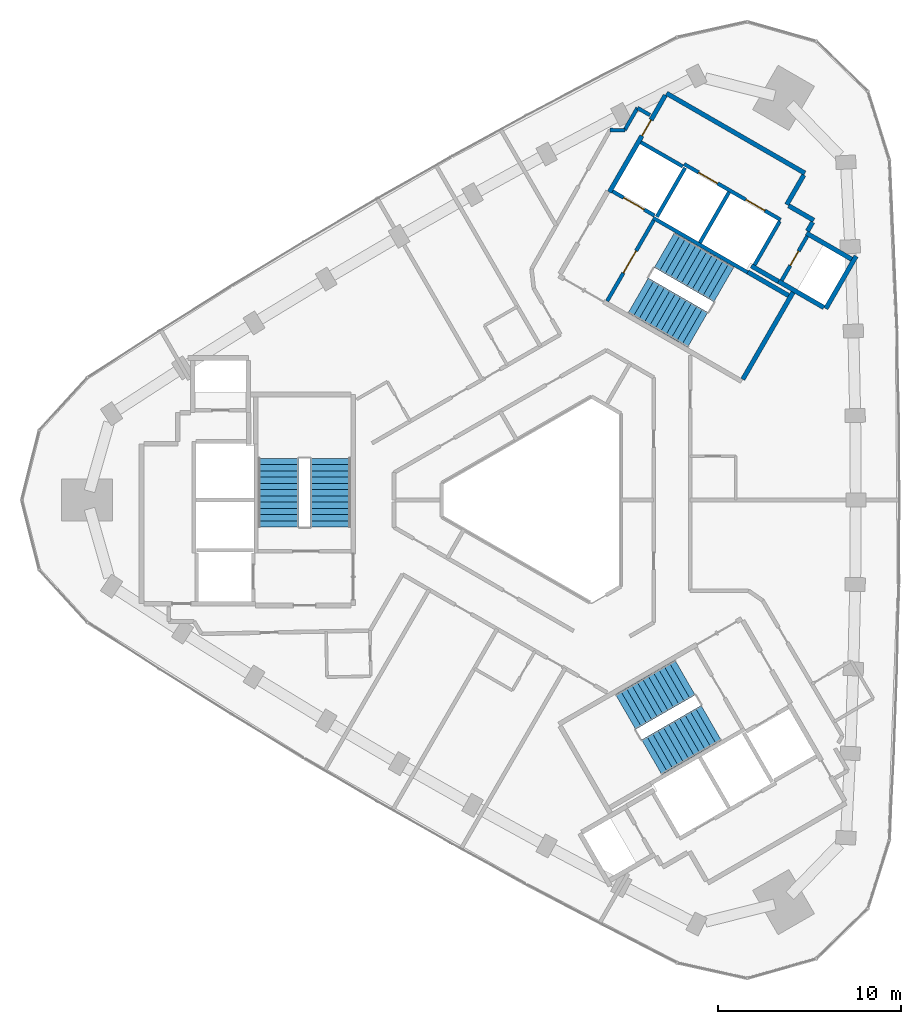
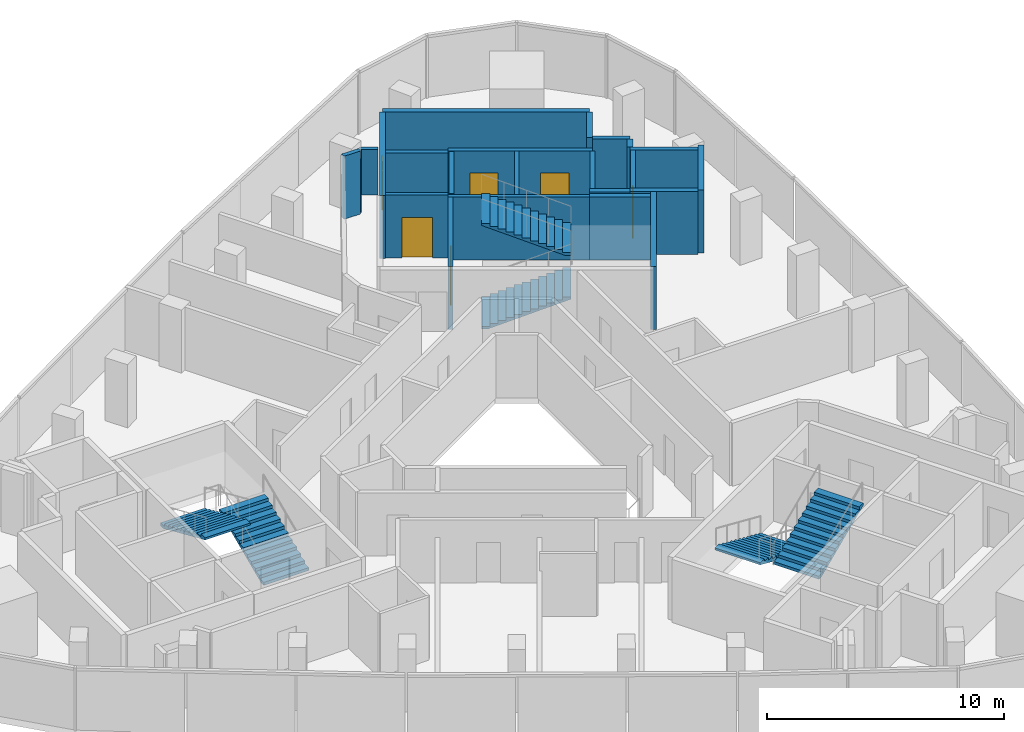
# One storey, part 10 of 11: 23 walls, 6 doors, 6 stair flights, 6 openings, 3 elements without a shape of their own.
"""IFC4 building model written with IfcOpenShell, lengths in metres."""

from ifc_helpers import new_model, si_unit, direction, frame, frame_2d, origin, place, context, subcontext, project, spatial, polyline, rectangle, outline, extrude, material, layer, layer_set, type_object, element, fill, aggregate, save


model = new_model("IFC4")

# Units and contexts
model_context = context("Model", 3, precision=1e-05, world=origin(), true_north=direction((0.0, 1.0)))
body_context = subcontext(model_context, "Body", "Model", "MODEL_VIEW")
ifc_project = project(units=[si_unit("LENGTHUNIT", "METRE"), si_unit("AREAUNIT", "SQUARE_METRE"), si_unit("VOLUMEUNIT", "CUBIC_METRE"), si_unit("PLANEANGLEUNIT", "RADIAN"), si_unit("MASSUNIT", "GRAM", prefix="KILO")], contexts=[model_context])

# Site, building, storey
site_placement = place(None, origin())
site = spatial("IfcSite", under=ifc_project, at=site_placement, CompositionType="ELEMENT")
building_placement = place(site_placement, origin())
building = spatial("IfcBuilding", under=site, at=building_placement, Name="Tamra Quay Hotel Tower", CompositionType="ELEMENT")
storey_placement = place(building_placement, frame((0.0, 0.0, 235.800048828125)))
storey = spatial("IfcBuildingStorey", under=building, at=storey_placement, Name="L59", CompositionType="ELEMENT", Elevation=235.800048828125)

# Wall, openings, doors
ifc_material_1 = material(Name="Concrete M70", Category="concrete")
ifc_layer_1 = layer(ifc_material_1, 0.199951171875)
ifc_layer_set_1 = layer_set([ifc_layer_1], Name="Concrete M70 core wall 200")
wall_type_1 = type_object("IfcWallType", Name="Concrete M70 core wall 200", PredefinedType="SHEAR", material=ifc_layer_set_1)
wall_1_placement = place(storey_placement, frame((12.552490234375, 15.341552734375, 0.0), z_axis=(0.0, 0.0, 1.0), x_axis=(-0.866030299012, 0.499991521122, 0.0)))
wall_1 = element("IfcWall", 1, at=wall_1_placement, inside=storey, type_object=wall_type_1, Name="CW2", PredefinedType="SHEAR", context=body_context, shape_type="SweptSolid", body=[
    extrude(rectangle(XDim=6.10009765625, YDim=0.199951171875, at=frame_2d((3.050048828125, 0.0))), origin(), (0.0, 0.0, 1.0), 3.25),
])
opening_1_placement = place(wall_1_placement, frame((1.0, 0.0, 0.0)))
opening_1 = element("IfcOpeningElement", 2, at=opening_1_placement, cuts=wall_1, Name="Opening LD", PredefinedType="OPENING", context=body_context, shape_type="SweptSolid", body=[
    extrude(rectangle(XDim=1.199951171875, YDim=2.10009765625, at=frame_2d((0.60009765625, 1.050048828125))), frame((0.0, 0.10986328125, 0.0), z_axis=(0.0, -1.0, 0.0), x_axis=(1.0, 0.0, 0.0)), (0.0, 0.0, 1.0), 0.219970703125),
])
opening_2_placement = place(wall_1_placement, frame((3.982177734375, 0.0, 0.0)))
opening_2 = element("IfcOpeningElement", 3, at=opening_2_placement, cuts=wall_1, Name="Opening LD", PredefinedType="OPENING", context=body_context, shape_type="SweptSolid", body=[
    extrude(rectangle(XDim=1.199951171875, YDim=2.10009765625, at=frame_2d((0.60009765625, 1.050048828125))), frame((0.0, 0.10986328125, 0.0), z_axis=(0.0, -1.0, 0.0), x_axis=(1.0, 0.0, 0.0)), (0.0, 0.0, 1.0), 0.219970703125),
])
ifc_material_2 = material(Name="Landing door LD 1200 double door sliding")
door_type_1 = type_object("IfcDoorType", Name="Landing door LD 1200 double door sliding", OperationType="DOUBLE_DOOR_SLIDING", PredefinedType="DOOR", material=ifc_material_2)
door_1_placement = place(opening_1_placement, origin())
door_1 = element("IfcDoor", 4, at=door_1_placement, inside=storey, type_object=door_type_1, Name="LD", OperationType="DOUBLE_DOOR_SLIDING", OverallHeight=2.10009765625, OverallWidth=1.199951171875, PredefinedType="DOOR", context=body_context, shape_type="SweptSolid", body=[
    extrude(rectangle(XDim=1.199951171875, YDim=2.10009765625, at=frame_2d((0.60009765625, 1.050048828125))), frame((0.0, 0.02490234375, 0.0), z_axis=(0.0, -1.0, 0.0), x_axis=(1.0, 0.0, 0.0)), (0.0, 0.0, 1.0), 0.050048828125),
])
fill(opening_1, door_1)
door_2_placement = place(opening_2_placement, origin())
door_2 = element("IfcDoor", 5, at=door_2_placement, inside=storey, type_object=door_type_1, Name="LD", OperationType="DOUBLE_DOOR_SLIDING", OverallHeight=2.10009765625, OverallWidth=1.199951171875, PredefinedType="DOOR", context=body_context, shape_type="SweptSolid", body=[
    extrude(rectangle(XDim=1.199951171875, YDim=2.10009765625, at=frame_2d((0.60009765625, 1.050048828125))), frame((0.0, 0.02490234375, 0.0), z_axis=(0.0, -1.0, 0.0), x_axis=(1.0, 0.0, 0.0)), (0.0, 0.0, 1.0), 0.050048828125),
])
fill(opening_2, door_2)

# Wall
wall_2_placement = place(storey_placement, frame((10.7431640625, 12.4599609375, 0.0), z_axis=(0.0, 0.0, 1.0), x_axis=(-0.866018848283, 0.500011354289, 0.0)))
element("IfcWall", 6, at=wall_2_placement, inside=storey, type_object=wall_type_1, Name="CW2", PredefinedType="SHEAR", context=body_context, shape_type="SweptSolid", body=[
    extrude(rectangle(XDim=5.973876953125, YDim=0.199951171875, at=frame_2d((2.98681640625, 0.0))), origin(), (0.0, 0.0, 1.0), 3.25),
])

# Wall, opening, door
wall_3_placement = place(storey_placement, frame((3.056640625, 10.89453125, 0.0), z_axis=(0.0, 0.0, 1.0), x_axis=(0.500027839223, 0.866009330205, 0.0)))
wall_3 = element("IfcWall", 7, at=wall_3_placement, inside=storey, type_object=wall_type_1, Name="CW2", PredefinedType="SHEAR", context=body_context, shape_type="SweptSolid", body=[
    extrude(rectangle(XDim=5.097900390625, YDim=0.199951171875, at=frame_2d((2.548828125, 0.0))), origin(), (0.0, 0.0, 1.0), 3.25),
])
opening_3_placement = place(wall_3_placement, frame((1.77392578125, 0.0, 0.0)))
opening_3 = element("IfcOpeningElement", 8, at=opening_3_placement, cuts=wall_3, Name="Opening FD2", PredefinedType="OPENING", context=body_context, shape_type="SweptSolid", body=[
    extrude(rectangle(XDim=1.39990234375, YDim=2.10009765625, at=frame_2d((0.699951171875, 1.050048828125))), frame((0.0, 0.10986328125, 0.0), z_axis=(0.0, -1.0, 0.0), x_axis=(1.0, 0.0, 0.0)), (0.0, 0.0, 1.0), 0.219970703125),
])
ifc_material_3 = material(Name="Core door FD2 1400x2100 LH")
door_type_2 = type_object("IfcDoorType", Name="Core door FD2 1400x2100 LH", OperationType="NOTDEFINED", PredefinedType="DOOR", material=ifc_material_3)
door_3_placement = place(opening_3_placement, origin())
door_3 = element("IfcDoor", 9, at=door_3_placement, inside=storey, type_object=door_type_2, Name="FD2", OperationType="SINGLE_SWING_LEFT", OverallHeight=2.10009765625, OverallWidth=1.39990234375, PredefinedType="DOOR", context=body_context, shape_type="SweptSolid", body=[
    extrude(rectangle(XDim=1.39990234375, YDim=2.10009765625, at=frame_2d((0.699951171875, 1.050048828125))), frame((0.0, 0.02490234375, 0.0), z_axis=(0.0, -1.0, 0.0), x_axis=(1.0, 0.0, 0.0)), (0.0, 0.0, 1.0), 0.050048828125),
])
fill(opening_3, door_3)

# Wall
wall_4_placement = place(storey_placement, frame((8.131591796875, 14.08447265625, 0.0), z_axis=(0.0, 0.0, 1.0), x_axis=(0.500030834389, 0.86600760081, 0.0)))
element("IfcWall", 10, at=wall_4_placement, inside=storey, type_object=wall_type_1, Name="CW2", PredefinedType="SHEAR", context=body_context, shape_type="SweptSolid", body=[
    extrude(rectangle(XDim=3.197998046875, YDim=0.199951171875, at=frame_2d((1.59912109375, 0.0))), origin(), (0.0, 0.0, 1.0), 3.25),
])

# Wall, opening, door
wall_5_placement = place(storey_placement, frame((14.0078125, 14.442138671875, 0.0), z_axis=(0.0, 0.0, 1.0), x_axis=(-0.499986818241, -0.866033014143, 0.0)))
wall_5 = element("IfcWall", 11, at=wall_5_placement, inside=storey, type_object=wall_type_1, Name="CW2", PredefinedType="SHEAR", context=body_context, shape_type="SweptSolid", body=[
    extrude(rectangle(XDim=2.7978515625, YDim=0.199951171875, at=frame_2d((1.39892578125, 0.0))), origin(), (0.0, 0.0, 1.0), 3.25),
])
opening_4_placement = place(wall_5_placement, frame((0.948974609375, 0.0, 0.0)))
opening_4 = element("IfcOpeningElement", 12, at=opening_4_placement, cuts=wall_5, Name="Opening D1", PredefinedType="OPENING", context=body_context, shape_type="SweptSolid", body=[
    extrude(rectangle(XDim=0.89990234375, YDim=2.10009765625, at=frame_2d((0.449951171875, 1.050048828125))), frame((0.0, 0.10986328125, 0.0), z_axis=(0.0, -1.0, 0.0), x_axis=(1.0, 0.0, 0.0)), (0.0, 0.0, 1.0), 0.219970703125),
])
ifc_material_4 = material(Name="Core door D1 900x2100 RH")
door_type_3 = type_object("IfcDoorType", Name="Core door D1 900x2100 RH", OperationType="NOTDEFINED", PredefinedType="DOOR", material=ifc_material_4)
door_4_placement = place(opening_4_placement, origin())
door_4 = element("IfcDoor", 13, at=door_4_placement, inside=storey, type_object=door_type_3, Name="D1", OperationType="SINGLE_SWING_RIGHT", OverallHeight=2.10009765625, OverallWidth=0.89990234375, PredefinedType="DOOR", context=body_context, shape_type="SweptSolid", body=[
    extrude(rectangle(XDim=0.89990234375, YDim=2.10009765625, at=frame_2d((0.449951171875, 1.050048828125))), frame((0.0, 0.02490234375, 0.0), z_axis=(0.0, -1.0, 0.0), x_axis=(1.0, 0.0, 0.0)), (0.0, 0.0, 1.0), 0.050048828125),
])
fill(opening_4, door_4)

# Walls
wall_6_placement = place(storey_placement, frame((12.50244140625, 15.2548828125, 0.0), z_axis=(0.0, 0.0, 1.0), x_axis=(-0.499965018551, -0.866045599391, 0.0)))
element("IfcWall", 14, at=wall_6_placement, inside=storey, type_object=wall_type_1, Name="CW2", PredefinedType="SHEAR", context=body_context, shape_type="SweptSolid", body=[
    extrude(rectangle(XDim=2.759033203125, YDim=0.199951171875, at=frame_2d((1.37939453125, 0.0))), origin(), (0.0, 0.0, 1.0), 3.25),
])
wall_7_placement = place(storey_placement, frame((7.324462890625, 18.1865234375, 0.0), z_axis=(0.0, 0.0, 1.0), x_axis=(-0.499967891604, -0.866043940782, 0.0)))
element("IfcWall", 15, at=wall_7_placement, inside=storey, type_object=wall_type_1, Name="CW2", PredefinedType="SHEAR", context=body_context, shape_type="SweptSolid", body=[
    extrude(rectangle(XDim=3.099853515625, YDim=0.199951171875, at=frame_2d((1.5498046875, 0.0))), origin(), (0.0, 0.0, 1.0), 3.25),
])

# Wall, opening, door
wall_8_placement = place(storey_placement, frame((5.646240234375, 15.575927734375, 0.0), z_axis=(0.0, 0.0, 1.0), x_axis=(-0.866018407898, 0.500012117035, 0.0)))
wall_8 = element("IfcWall", 16, at=wall_8_placement, inside=storey, type_object=wall_type_1, Name="CW2", PredefinedType="SHEAR", context=body_context, shape_type="SweptSolid", body=[
    extrude(rectangle(XDim=2.65087890625, YDim=0.199951171875, at=frame_2d((1.325439453125, 0.0))), origin(), (0.0, 0.0, 1.0), 3.25),
])
opening_5_placement = place(wall_8_placement, frame((0.65185546875, 0.0, 0.0)))
opening_5 = element("IfcOpeningElement", 17, at=opening_5_placement, cuts=wall_8, Name="Opening LD", PredefinedType="OPENING", context=body_context, shape_type="SweptSolid", body=[
    extrude(rectangle(XDim=1.300048828125, YDim=2.10009765625, at=frame_2d((0.64990234375, 1.050048828125))), frame((0.0, 0.10986328125, 0.0), z_axis=(0.0, -1.0, 0.0), x_axis=(1.0, 0.0, 0.0)), (0.0, 0.0, 1.0), 0.219970703125),
])
ifc_material_5 = material(Name="Landing door LD 1300 sliding to left")
door_type_4 = type_object("IfcDoorType", Name="Landing door LD 1300 sliding to left", OperationType="NOTDEFINED", PredefinedType="DOOR", material=ifc_material_5)
door_5_placement = place(opening_5_placement, origin())
door_5 = element("IfcDoor", 18, at=door_5_placement, inside=storey, type_object=door_type_4, Name="LD", OperationType="SLIDING_TO_LEFT", OverallHeight=2.10009765625, OverallWidth=1.300048828125, PredefinedType="DOOR", context=body_context, shape_type="SweptSolid", body=[
    extrude(rectangle(XDim=1.300048828125, YDim=2.10009765625, at=frame_2d((0.64990234375, 1.050048828125))), frame((0.0, 0.02490234375, 0.0), z_axis=(0.0, -1.0, 0.0), x_axis=(1.0, 0.0, 0.0)), (0.0, 0.0, 1.0), 0.050048828125),
])
fill(opening_5, door_5)

# Walls
wall_9_placement = place(storey_placement, frame((7.1962890625, 18.260498046875, 0.0), z_axis=(0.0, 0.0, 1.0), x_axis=(-0.866018407898, 0.500012117035, 0.0)))
element("IfcWall", 19, at=wall_9_placement, inside=storey, type_object=wall_type_1, Name="CW2", PredefinedType="SHEAR", context=body_context, shape_type="SweptSolid", body=[
    extrude(rectangle(XDim=2.65087890625, YDim=0.199951171875, at=frame_2d((1.325439453125, 0.0))), origin(), (0.0, 0.0, 1.0), 3.25),
])
ifc_layer_2 = layer(ifc_material_1, 0.25)
ifc_layer_set_2 = layer_set([ifc_layer_2], Name="Concrete M70 core wall 250")
wall_type_2 = type_object("IfcWallType", Name="Concrete M70 core wall 250", PredefinedType="SHEAR", material=ifc_layer_set_2)
wall_10_placement = place(storey_placement, frame((6.303955078125, 22.268798828125, 0.0), z_axis=(0.0, 0.0, 1.0), x_axis=(0.866022959057, -0.500004234368, 0.0)))
element("IfcWall", 20, at=wall_10_placement, inside=storey, type_object=wall_type_2, Name="CW1", PredefinedType="SHEAR", context=body_context, shape_type="SweptSolid", body=[
    extrude(rectangle(XDim=8.75, YDim=0.25, at=frame_2d((4.375, 0.0))), origin(), (0.0, 0.0, 1.0), 3.25),
])

# Wall, opening, door
wall_11_placement = place(storey_placement, frame((3.178955078125, 16.856201171875, 0.0), z_axis=(0.0, 0.0, 1.0), x_axis=(0.500001955336, 0.866024274868, 0.0)))
wall_11 = element("IfcWall", 21, at=wall_11_placement, inside=storey, type_object=wall_type_2, Name="CW1", PredefinedType="SHEAR", context=body_context, shape_type="SweptSolid", body=[
    extrude(rectangle(XDim=6.12451171875, YDim=0.25, at=frame_2d((3.062255859375, 0.0))), origin(), (0.0, 0.0, 1.0), 3.25),
])
opening_6_placement = place(wall_11_placement, frame((3.562744140625, 0.0, 0.0)))
opening_6 = element("IfcOpeningElement", 22, at=opening_6_placement, cuts=wall_11, Name="Opening FD3", PredefinedType="OPENING", context=body_context, shape_type="SweptSolid", body=[
    extrude(rectangle(XDim=1.0, YDim=2.10009765625, at=frame_2d((0.5, 1.050048828125))), frame((0.0, 0.135009765625, 0.0), z_axis=(0.0, -1.0, 0.0), x_axis=(1.0, 0.0, 0.0)), (0.0, 0.0, 1.0), 0.27001953125),
])
ifc_material_6 = material(Name="Core door FD3 1000x2100 LH")
door_type_5 = type_object("IfcDoorType", Name="Core door FD3 1000x2100 LH", OperationType="NOTDEFINED", PredefinedType="DOOR", material=ifc_material_6)
door_6_placement = place(opening_6_placement, origin())
door_6 = element("IfcDoor", 23, at=door_6_placement, inside=storey, type_object=door_type_5, Name="FD3", OperationType="SINGLE_SWING_LEFT", OverallHeight=2.10009765625, OverallWidth=1.0, PredefinedType="DOOR", context=body_context, shape_type="SweptSolid", body=[
    extrude(rectangle(XDim=1.0, YDim=2.10009765625, at=frame_2d((0.5, 1.050048828125))), frame((0.0, 0.02490234375, 0.0), z_axis=(0.0, -1.0, 0.0), x_axis=(1.0, 0.0, 0.0)), (0.0, 0.0, 1.0), 0.050048828125),
])
fill(opening_6, door_6)

# Walls
wall_12_placement = place(storey_placement, frame((13.237548828125, 11.3779296875, 0.0), z_axis=(0.0, 0.0, 1.0), x_axis=(-0.500008851346, -0.866020293397, 0.0)))
element("IfcWall", 24, at=wall_12_placement, inside=storey, type_object=wall_type_2, Name="CW1", PredefinedType="SHEAR", context=body_context, shape_type="SweptSolid", body=[
    extrude(rectangle(XDim=5.509765625, YDim=0.25, at=frame_2d((2.7548828125, 0.0))), origin(), (0.0, 0.0, 1.0), 3.25),
])
wall_13_placement = place(storey_placement, frame((16.68359375, 13.3466796875, 0.0), z_axis=(0.0, 0.0, 1.0), x_axis=(-0.499998874531, -0.866026053573, 0.0)))
element("IfcWall", 25, at=wall_13_placement, inside=storey, type_object=wall_type_2, Name="CW1", PredefinedType="SHEAR", context=body_context, shape_type="SweptSolid", body=[
    extrude(rectangle(XDim=3.31298828125, YDim=0.25, at=frame_2d((1.656494140625, 0.0))), origin(), (0.0, 0.0, 1.0), 3.25),
])
wall_14_placement = place(storey_placement, frame((14.91845703125, 10.540283203125, 0.0), z_axis=(0.0, 0.0, 1.0), x_axis=(-0.866063538972, 0.499933942099, 0.0)))
element("IfcWall", 26, at=wall_14_placement, inside=storey, type_object=wall_type_2, Name="CW1", PredefinedType="SHEAR", context=body_context, shape_type="SweptSolid", body=[
    extrude(rectangle(XDim=2.86474609375, YDim=0.25, at=frame_2d((1.432373046875, 0.0))), origin(), (0.0, 0.0, 1.0), 3.25),
])
wall_15_placement = place(storey_placement, frame((13.962646484375, 14.61376953125, 0.0), z_axis=(0.0, 0.0, 1.0), x_axis=(0.866042235819, -0.499970844928, 0.0)))
element("IfcWall", 27, at=wall_15_placement, inside=storey, type_object=wall_type_2, Name="CW1", PredefinedType="SHEAR", context=body_context, shape_type="SweptSolid", body=[
    extrude(rectangle(XDim=2.864501953125, YDim=0.25, at=frame_2d((1.43212890625, 0.0))), origin(), (0.0, 0.0, 1.0), 3.25),
])
wall_16_placement = place(storey_placement, frame((10.756591796875, 12.481201171875, 0.0), z_axis=(0.0, 0.0, 1.0), x_axis=(0.866022940537, -0.500004266446, 0.0)))
element("IfcWall", 28, at=wall_16_placement, inside=storey, type_object=wall_type_2, Name="CW1", PredefinedType="SHEAR", context=body_context, shape_type="SweptSolid", body=[
    extrude(rectangle(XDim=2.57470703125, YDim=0.25, at=frame_2d((1.287353515625, 0.0))), origin(), (0.0, 0.0, 1.0), 3.25),
])
wall_17_placement = place(storey_placement, frame((13.819091796875, 17.78515625, 0.0), z_axis=(0.0, 0.0, 1.0), x_axis=(-0.500039802285, -0.866002422705, 0.0)))
element("IfcWall", 29, at=wall_17_placement, inside=storey, type_object=wall_type_2, Name="CW1", PredefinedType="SHEAR", context=body_context, shape_type="SweptSolid", body=[
    extrude(rectangle(XDim=1.864501953125, YDim=0.25, at=frame_2d((0.93212890625, 0.0))), origin(), (0.0, 0.0, 1.0), 3.25),
])
wall_18_placement = place(storey_placement, frame((12.4326171875, 11.9638671875, 0.0), z_axis=(0.0, 0.0, 1.0), x_axis=(-0.866038183914, 0.499977863513, 0.0)))
element("IfcWall", 30, at=wall_18_placement, inside=storey, type_object=wall_type_2, Name="CW1", PredefinedType="SHEAR", context=body_context, shape_type="SweptSolid", body=[
    extrude(rectangle(XDim=1.7099609375, YDim=0.25, at=frame_2d((0.85498046875, 0.0))), origin(), (0.0, 0.0, 1.0), 3.25),
])
wall_19_placement = place(storey_placement, frame((12.995361328125, 16.107666015625, 0.0), z_axis=(0.0, 0.0, 1.0), x_axis=(0.866044474677, -0.49996696679, 0.0)))
element("IfcWall", 31, at=wall_19_placement, inside=storey, type_object=wall_type_2, Name="CW1", PredefinedType="SHEAR", context=body_context, shape_type="SweptSolid", body=[
    extrude(rectangle(XDim=1.58447265625, YDim=0.25, at=frame_2d((0.792236328125, 0.0))), origin(), (0.0, 0.0, 1.0), 3.25),
])
wall_20_placement = place(storey_placement, frame((14.304931640625, 15.206787109375, 0.0), z_axis=(0.0, 0.0, 1.0), x_axis=(-0.499848422343, -0.866112899501, 0.0)))
element("IfcWall", 32, at=wall_20_placement, inside=storey, type_object=wall_type_2, Name="CW1", PredefinedType="SHEAR", context=body_context, shape_type="SweptSolid", body=[
    extrude(rectangle(XDim=0.559326171875, YDim=0.25, at=frame_2d((0.27978515625, 0.0))), origin(), (0.0, 0.0, 1.0), 3.25),
])
ifc_material_7 = material(Name="Partition corridor wall")
ifc_layer_3 = layer(ifc_material_7, 0.199951171875)
ifc_layer_set_3 = layer_set([ifc_layer_3], Name="Partition corridor wall")
wall_type_3 = type_object("IfcWallType", Name="Partition corridor wall", PredefinedType="PARTITIONING", material=ifc_layer_set_3)
wall_21_placement = place(storey_placement, frame((3.218994140625, 20.256103515625, 0.0), z_axis=(0.0, 0.0, 1.0), x_axis=(0.99982237262, -0.0188473661, 0.0)))
element("IfcWall", 33, at=wall_21_placement, inside=storey, type_object=wall_type_3, Name="W-C", PredefinedType="PARTITIONING", context=body_context, shape_type="SweptSolid", body=[
    extrude(rectangle(XDim=0.80322265625, YDim=0.199951171875, at=frame_2d((0.401611328125, 0.0))), origin(), (0.0, 0.0, 1.0), 3.25),
])
wall_22_placement = place(storey_placement, frame((4.01611328125, 20.256103515625, 0.0), z_axis=(0.0, 0.0, 1.0), x_axis=(0.500135180047, 0.865947343479, 0.0)))
element("IfcWall", 34, at=wall_22_placement, inside=storey, type_object=wall_type_3, Name="W-C", PredefinedType="PARTITIONING", context=body_context, shape_type="SweptSolid", body=[
    extrude(rectangle(XDim=1.3994140625, YDim=0.199951171875, at=frame_2d((0.69970703125, 0.0))), origin(), (0.0, 0.0, 1.0), 2.349853515625),
])
wall_23_placement = place(storey_placement, frame((4.716064453125, 21.468017578125, 0.0), z_axis=(0.0, 0.0, 1.0), x_axis=(0.865912682783, -0.500195187698, 0.0)))
element("IfcWall", 35, at=wall_23_placement, inside=storey, type_object=wall_type_3, Name="W-C", PredefinedType="PARTITIONING", context=body_context, shape_type="SweptSolid", body=[
    extrude(rectangle(XDim=0.789794921875, YDim=0.199951171875, at=frame_2d((0.39501953125, 0.0))), origin(), (0.0, 0.0, 1.0), 2.349853515625),
])

# Stair, stair flights
ifc_material_8 = material(Name="Exit stair 2200 24 risers 150.0 going 342")
stair_type = type_object("IfcStairType", Name="Exit stair 2200 24 risers 150.0 going 342", PredefinedType="HALF_TURN_STAIR", material=ifc_material_8)
stair_1_placement = place(storey_placement, origin())
stair_1 = element("IfcStair", 36, at=stair_1_placement, inside=storey, type_object=stair_type, Name="L59 Exit stair ST3", PredefinedType="HALF_TURN_STAIR")
ifc_material_9 = material(Name="Exit stair flight 2200 12 risers 150.0")
stair_flight_type = type_object("IfcStairFlightType", Name="Exit stair flight 2200 12 risers 150.0", PredefinedType="STRAIGHT", material=ifc_material_9)
stair_flight_1_placement = place(storey_placement, frame((-12.082275390625, -1.47998046875, 0.0), z_axis=(0.0, 0.0, 1.0), x_axis=(0.0, 1.0, 0.0)))
stair_flight_1 = element("IfcStairFlight", 37, at=stair_flight_1_placement, type_object=stair_flight_type, Name="ST3 flight 1", NumberOfRisers=12, NumberOfTreads=11, PredefinedType="STRAIGHT", RiserHeight=0.15, TreadLength=0.342, context=body_context, shape_type="SweptSolid", body=[
    extrude(outline(polyline([(0.0, 0.0), (0.0, 0.14990234375), (0.342041015625, 0.14990234375), (0.342041015625, 0.300048828125), (0.68408203125, 0.300048828125), (0.68408203125, 0.449951171875), (1.02587890625, 0.449951171875), (1.02587890625, 0.60009765625), (1.367919921875, 0.60009765625), (1.367919921875, 0.75), (1.7099609375, 0.75), (1.7099609375, 0.89990234375), (2.052001953125, 0.89990234375), (2.052001953125, 1.050048828125), (2.39404296875, 1.050048828125), (2.39404296875, 1.199951171875), (2.736083984375, 1.199951171875), (2.736083984375, 1.35009765625), (3.077880859375, 1.35009765625), (3.077880859375, 1.5), (3.419921875, 1.5), (3.419921875, 1.64990234375), (3.761962890625, 1.64990234375), (3.761962890625, 1.800048828125), (3.761962890625, 1.540771484375), (0.249267578125, 0.0), (0.0, 0.0)])), frame((0.0, 1.10009765625, 0.0), z_axis=(0.0, -1.0, 0.0), x_axis=(1.0, 0.0, 0.0)), (0.0, 0.0, 1.0), 2.199951171875),
])
stair_flight_2_placement = place(storey_placement, frame((-14.94140625, 2.281982421875, 1.800048828125), z_axis=(0.0, 0.0, 1.0), x_axis=(0.0, -1.0, 0.0)))
stair_flight_2 = element("IfcStairFlight", 38, at=stair_flight_2_placement, type_object=stair_flight_type, Name="ST3 flight 2", NumberOfRisers=12, NumberOfTreads=11, PredefinedType="STRAIGHT", RiserHeight=0.15, TreadLength=0.342, context=body_context, shape_type="SweptSolid", body=[
    extrude(outline(polyline([(0.0, 0.0), (0.0, 0.14990234375), (0.342041015625, 0.14990234375), (0.342041015625, 0.300048828125), (0.68408203125, 0.300048828125), (0.68408203125, 0.449951171875), (1.02587890625, 0.449951171875), (1.02587890625, 0.60009765625), (1.367919921875, 0.60009765625), (1.367919921875, 0.75), (1.7099609375, 0.75), (1.7099609375, 0.89990234375), (2.052001953125, 0.89990234375), (2.052001953125, 1.050048828125), (2.39404296875, 1.050048828125), (2.39404296875, 1.199951171875), (2.736083984375, 1.199951171875), (2.736083984375, 1.35009765625), (3.077880859375, 1.35009765625), (3.077880859375, 1.5), (3.419921875, 1.5), (3.419921875, 1.64990234375), (3.761962890625, 1.64990234375), (3.761962890625, 1.800048828125), (3.761962890625, 1.540771484375), (0.249267578125, 0.0), (0.0, 0.0)])), frame((0.0, 1.10009765625, 0.0), z_axis=(0.0, -1.0, 0.0), x_axis=(1.0, 0.0, 0.0)), (0.0, 0.0, 1.0), 2.199951171875),
])
aggregate(stair_1, [stair_flight_1, stair_flight_2])

stair_2_placement = place(storey_placement, origin())
stair_2 = element("IfcStair", 39, at=stair_2_placement, inside=storey, type_object=stair_type, Name="L59 Exit stair ST1", PredefinedType="HALF_TURN_STAIR")
stair_flight_3_placement = place(storey_placement, frame((4.75927734375, 11.20361328125, 0.0), z_axis=(0.0, 0.0, 1.0), x_axis=(0.866025403784, -0.5, 0.0)))
stair_flight_3 = element("IfcStairFlight", 40, at=stair_flight_3_placement, type_object=stair_flight_type, Name="ST1 flight 1", NumberOfRisers=12, NumberOfTreads=11, PredefinedType="STRAIGHT", RiserHeight=0.15, TreadLength=0.342, context=body_context, shape_type="SweptSolid", body=[
    extrude(outline(polyline([(0.0, 0.0), (0.0, 0.14990234375), (0.342041015625, 0.14990234375), (0.342041015625, 0.300048828125), (0.68408203125, 0.300048828125), (0.68408203125, 0.449951171875), (1.02587890625, 0.449951171875), (1.02587890625, 0.60009765625), (1.367919921875, 0.60009765625), (1.367919921875, 0.75), (1.7099609375, 0.75), (1.7099609375, 0.89990234375), (2.052001953125, 0.89990234375), (2.052001953125, 1.050048828125), (2.39404296875, 1.050048828125), (2.39404296875, 1.199951171875), (2.736083984375, 1.199951171875), (2.736083984375, 1.35009765625), (3.077880859375, 1.35009765625), (3.077880859375, 1.5), (3.419921875, 1.5), (3.419921875, 1.64990234375), (3.761962890625, 1.64990234375), (3.761962890625, 1.800048828125), (3.761962890625, 1.540771484375), (0.249267578125, 0.0), (0.0, 0.0)])), frame((0.0, 1.10009765625, 0.0), z_axis=(0.0, -1.0, 0.0), x_axis=(1.0, 0.0, 0.0)), (0.0, 0.0, 1.0), 2.199951171875),
])
stair_flight_4_placement = place(storey_placement, frame((9.44677734375, 11.798583984375, 1.800048828125), z_axis=(0.0, 0.0, 1.0), x_axis=(-0.866025403784, 0.5, 0.0)))
stair_flight_4 = element("IfcStairFlight", 41, at=stair_flight_4_placement, type_object=stair_flight_type, Name="ST1 flight 2", NumberOfRisers=12, NumberOfTreads=11, PredefinedType="STRAIGHT", RiserHeight=0.15, TreadLength=0.342, context=body_context, shape_type="SweptSolid", body=[
    extrude(outline(polyline([(0.0, 0.0), (0.0, 0.14990234375), (0.342041015625, 0.14990234375), (0.342041015625, 0.300048828125), (0.68408203125, 0.300048828125), (0.68408203125, 0.449951171875), (1.02587890625, 0.449951171875), (1.02587890625, 0.60009765625), (1.367919921875, 0.60009765625), (1.367919921875, 0.75), (1.7099609375, 0.75), (1.7099609375, 0.89990234375), (2.052001953125, 0.89990234375), (2.052001953125, 1.050048828125), (2.39404296875, 1.050048828125), (2.39404296875, 1.199951171875), (2.736083984375, 1.199951171875), (2.736083984375, 1.35009765625), (3.077880859375, 1.35009765625), (3.077880859375, 1.5), (3.419921875, 1.5), (3.419921875, 1.64990234375), (3.761962890625, 1.64990234375), (3.761962890625, 1.800048828125), (3.761962890625, 1.540771484375), (0.249267578125, 0.0), (0.0, 0.0)])), frame((0.0, 1.10009765625, 0.0), z_axis=(0.0, -1.0, 0.0), x_axis=(1.0, 0.0, 0.0)), (0.0, 0.0, 1.0), 2.199951171875),
])
aggregate(stair_2, [stair_flight_3, stair_flight_4])

stair_3_placement = place(storey_placement, origin())
stair_3 = element("IfcStair", 42, at=stair_3_placement, inside=storey, type_object=stair_type, Name="L59 Exit stair ST2", PredefinedType="HALF_TURN_STAIR")
stair_flight_5_placement = place(storey_placement, frame((7.322998046875, -9.7236328125, 0.0), z_axis=(0.0, 0.0, 1.0), x_axis=(-0.866025403784, -0.5, 0.0)))
stair_flight_5 = element("IfcStairFlight", 43, at=stair_flight_5_placement, type_object=stair_flight_type, Name="ST2 flight 1", NumberOfRisers=12, NumberOfTreads=11, PredefinedType="STRAIGHT", RiserHeight=0.15, TreadLength=0.342, context=body_context, shape_type="SweptSolid", body=[
    extrude(outline(polyline([(0.0, 0.0), (0.0, 0.14990234375), (0.342041015625, 0.14990234375), (0.342041015625, 0.300048828125), (0.68408203125, 0.300048828125), (0.68408203125, 0.449951171875), (1.02587890625, 0.449951171875), (1.02587890625, 0.60009765625), (1.367919921875, 0.60009765625), (1.367919921875, 0.75), (1.7099609375, 0.75), (1.7099609375, 0.89990234375), (2.052001953125, 0.89990234375), (2.052001953125, 1.050048828125), (2.39404296875, 1.050048828125), (2.39404296875, 1.199951171875), (2.736083984375, 1.199951171875), (2.736083984375, 1.35009765625), (3.077880859375, 1.35009765625), (3.077880859375, 1.5), (3.419921875, 1.5), (3.419921875, 1.64990234375), (3.761962890625, 1.64990234375), (3.761962890625, 1.800048828125), (3.761962890625, 1.540771484375), (0.249267578125, 0.0), (0.0, 0.0)])), frame((0.0, 1.10009765625, 0.0), z_axis=(0.0, -1.0, 0.0), x_axis=(1.0, 0.0, 0.0)), (0.0, 0.0, 1.0), 2.199951171875),
])
stair_flight_6_placement = place(storey_placement, frame((5.494384765625, -14.08056640625, 1.800048828125), z_axis=(0.0, 0.0, 1.0), x_axis=(0.866025403784, 0.5, 0.0)))
stair_flight_6 = element("IfcStairFlight", 44, at=stair_flight_6_placement, type_object=stair_flight_type, Name="ST2 flight 2", NumberOfRisers=12, NumberOfTreads=11, PredefinedType="STRAIGHT", RiserHeight=0.15, TreadLength=0.342, context=body_context, shape_type="SweptSolid", body=[
    extrude(outline(polyline([(0.0, 0.0), (0.0, 0.14990234375), (0.342041015625, 0.14990234375), (0.342041015625, 0.300048828125), (0.68408203125, 0.300048828125), (0.68408203125, 0.449951171875), (1.02587890625, 0.449951171875), (1.02587890625, 0.60009765625), (1.367919921875, 0.60009765625), (1.367919921875, 0.75), (1.7099609375, 0.75), (1.7099609375, 0.89990234375), (2.052001953125, 0.89990234375), (2.052001953125, 1.050048828125), (2.39404296875, 1.050048828125), (2.39404296875, 1.199951171875), (2.736083984375, 1.199951171875), (2.736083984375, 1.35009765625), (3.077880859375, 1.35009765625), (3.077880859375, 1.5), (3.419921875, 1.5), (3.419921875, 1.64990234375), (3.761962890625, 1.64990234375), (3.761962890625, 1.800048828125), (3.761962890625, 1.540771484375), (0.249267578125, 0.0), (0.0, 0.0)])), frame((0.0, 1.10009765625, 0.0), z_axis=(0.0, -1.0, 0.0), x_axis=(1.0, 0.0, 0.0)), (0.0, 0.0, 1.0), 2.199951171875),
])
aggregate(stair_3, [stair_flight_5, stair_flight_6])

save(model, "model.ifc")
